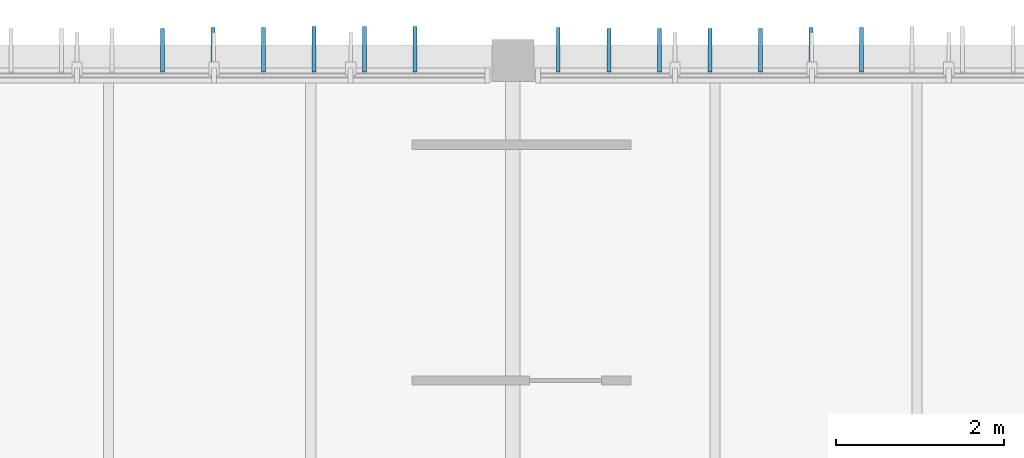
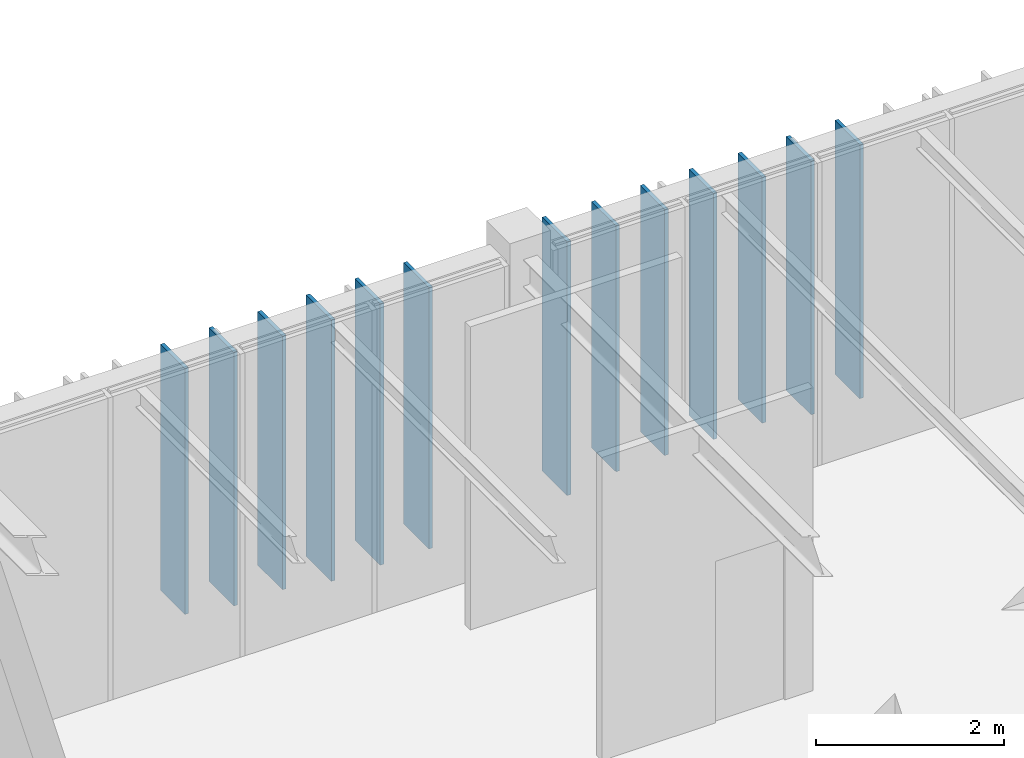
# One storey, part 29 of 122: 13 plates.
"""IFC4 building model written with IfcOpenShell, lengths in metres."""

from ifc_helpers import new_model, si_unit, direction, frame, origin, origin_2d, place, context, subcontext, project, spatial, rectangle, extrude, material, layer, layer_set, type_object, element, save


model = new_model("IFC4")

# Units and contexts
model_context = context("Model", 3, precision=1e-05, world=origin(), true_north=direction((0.0, 1.0)))
body_context = subcontext(model_context, "Body", "Model", "MODEL_VIEW")
ifc_project = project(units=[si_unit("LENGTHUNIT", "METRE"), si_unit("AREAUNIT", "SQUARE_METRE"), si_unit("VOLUMEUNIT", "CUBIC_METRE"), si_unit("PLANEANGLEUNIT", "RADIAN"), si_unit("MASSUNIT", "GRAM", prefix="KILO")], contexts=[model_context])

# Site, building, storey
site_placement = place(None, origin())
site = spatial("IfcSite", under=ifc_project, at=site_placement, CompositionType="ELEMENT")
building_placement = place(site_placement, origin())
building = spatial("IfcBuilding", under=site, at=building_placement, Name="Tazoul Stagehouse", CompositionType="ELEMENT")
storey_placement = place(building_placement, frame((0.0, 0.0, 4.800048828125)))
storey = spatial("IfcBuildingStorey", under=building, at=storey_placement, Name="L01", CompositionType="ELEMENT", Elevation=4.800048828125)

# Plates
ifc_material = material(Name="Anodised Bronze Aluminium 6063-T6", Category="aluminium")
ifc_layer_1 = layer(ifc_material, 0.52001953125, Name="Anodised Bronze Aluminium 6063-T6")
ifc_layer_set_1 = layer_set([ifc_layer_1], Name="Anodised Bronze Aluminium 6063-T6")
plate_type_1 = type_object("IfcPlateType", Name="Parametric Terracotta-Bronze Solar Fin 520x3200", PredefinedType="USERDEFINED", material=ifc_layer_set_1)
for number, where, z_axis, x_axis, name in (
    (1, (105.639892578125, 111.919921875, 0.68994140625), (0.0, 0.0, 1.0), (1.0, 0.0, 0.0), "L01 Parametric Solar Fin SFN-18 (CW-V3-N1-L01-B1-05)"),
    (2, (110.93994140625, 111.919921875, 0.68994140625), (0.0, 0.0, 1.0), (1.0, 0.0, 0.0), "L01 Parametric Solar Fin SFN-18 (CW-V3-N1-L01-B2-02)"),
    (3, (111.5400390625, 111.919921875, 0.68994140625), (0.0, 0.0, 1.0), (1.0, 0.0, 0.0), "L01 Parametric Solar Fin SFN-18 (CW-V3-N1-L01-B2-03)"),
    (4, (112.139892578125, 111.919921875, 0.68994140625), (0.0, 0.0, 1.0), (1.0, 0.0, 0.0), "L01 Parametric Solar Fin SFN-18 (CW-V3-N1-L01-B2-04)"),
    (5, (112.739990234375, 111.919921875, 0.68994140625), (0.0, 0.0, 1.0), (1.0, 0.0, 0.0), "L01 Parametric Solar Fin SFN-18 (CW-V3-N1-L01-B2-05)"),
):
    element("IfcPlate", number, at=place(storey_placement, frame(where, z_axis=z_axis, x_axis=x_axis)), inside=storey, type_object=plate_type_1, Name=name, ObjectType="SOLAR FIN", PredefinedType="USERDEFINED", context=body_context, shape_type="SweptSolid", body=[
        extrude(rectangle(XDim=0.044921875, YDim=0.52001953125, at=origin_2d()), origin(), (0.0, 0.0, 1.0), 3.199951171875),
    ])
ifc_layer_2 = layer(ifc_material, 0.530029296875, Name="Anodised Bronze Aluminium 6063-T6")
ifc_layer_set_2 = layer_set([ifc_layer_2], Name="Anodised Bronze Aluminium 6063-T6")
plate_type_2 = type_object("IfcPlateType", Name="Parametric Terracotta-Bronze Solar Fin 530x3300", PredefinedType="USERDEFINED", material=ifc_layer_set_2)
for number, where, z_axis, x_axis, name in (
    (6, (106.239990234375, 111.925048828125, 0.58984375), (0.0, 0.0, 1.0), (1.0, 0.0, 0.0), "L01 Parametric Solar Fin SFN-19 (CW-V3-N1-L01-B1-06)"),
    (7, (106.840087890625, 111.925048828125, 0.58984375), (0.0, 0.0, 1.0), (1.0, 0.0, 0.0), "L01 Parametric Solar Fin SFN-19 (CW-V3-N1-L01-B1-07)"),
    (8, (110.340087890625, 111.925048828125, 0.58984375), (0.0, 0.0, 1.0), (1.0, 0.0, 0.0), "L01 Parametric Solar Fin SFN-19 (CW-V3-N1-L01-B2-01)"),
    (9, (113.340087890625, 111.925048828125, 0.58984375), (0.0, 0.0, 1.0), (1.0, 0.0, 0.0), "L01 Parametric Solar Fin SFN-19 (CW-V3-N1-L01-B2-06)"),
    (10, (113.93994140625, 111.925048828125, 0.58984375), (0.0, 0.0, 1.0), (1.0, 0.0, 0.0), "L01 Parametric Solar Fin SFN-19 (CW-V3-N1-L01-B2-07)"),
):
    element("IfcPlate", number, at=place(storey_placement, frame(where, z_axis=z_axis, x_axis=x_axis)), inside=storey, type_object=plate_type_2, Name=name, ObjectType="SOLAR FIN", PredefinedType="USERDEFINED", context=body_context, shape_type="SweptSolid", body=[
        extrude(rectangle(XDim=0.044921875, YDim=0.530029296875, at=origin_2d()), origin(), (0.0, 0.0, 1.0), 3.300048828125),
    ])
ifc_layer_3 = layer(ifc_material, 0.5400390625, Name="Anodised Bronze Aluminium 6063-T6")
ifc_layer_set_3 = layer_set([ifc_layer_3], Name="Anodised Bronze Aluminium 6063-T6")
plate_type_3 = type_object("IfcPlateType", Name="Parametric Terracotta-Bronze Solar Fin 540x3400", PredefinedType="USERDEFINED", material=ifc_layer_set_3)
for number, where, z_axis, x_axis, name in (
    (11, (107.43994140625, 111.929931640625, 0.489990234375), (0.0, 0.0, 1.0), (1.0, 0.0, 0.0), "L01 Parametric Solar Fin SFN-20 (CW-V3-N1-L01-B1-08)"),
    (12, (108.0400390625, 111.929931640625, 0.489990234375), (0.0, 0.0, 1.0), (1.0, 0.0, 0.0), "L01 Parametric Solar Fin SFN-20 (CW-V3-N1-L01-B1-09)"),
    (13, (108.639892578125, 111.929931640625, 0.489990234375), (0.0, 0.0, 1.0), (1.0, 0.0, 0.0), "L01 Parametric Solar Fin SFN-20 (CW-V3-N1-L01-B1-10)"),
):
    element("IfcPlate", number, at=place(storey_placement, frame(where, z_axis=z_axis, x_axis=x_axis)), inside=storey, type_object=plate_type_3, Name=name, ObjectType="SOLAR FIN", PredefinedType="USERDEFINED", context=body_context, shape_type="SweptSolid", body=[
        extrude(rectangle(XDim=0.044921875, YDim=0.5400390625, at=origin_2d()), origin(), (0.0, 0.0, 1.0), 3.39990234375),
    ])

save(model, "model.ifc")
